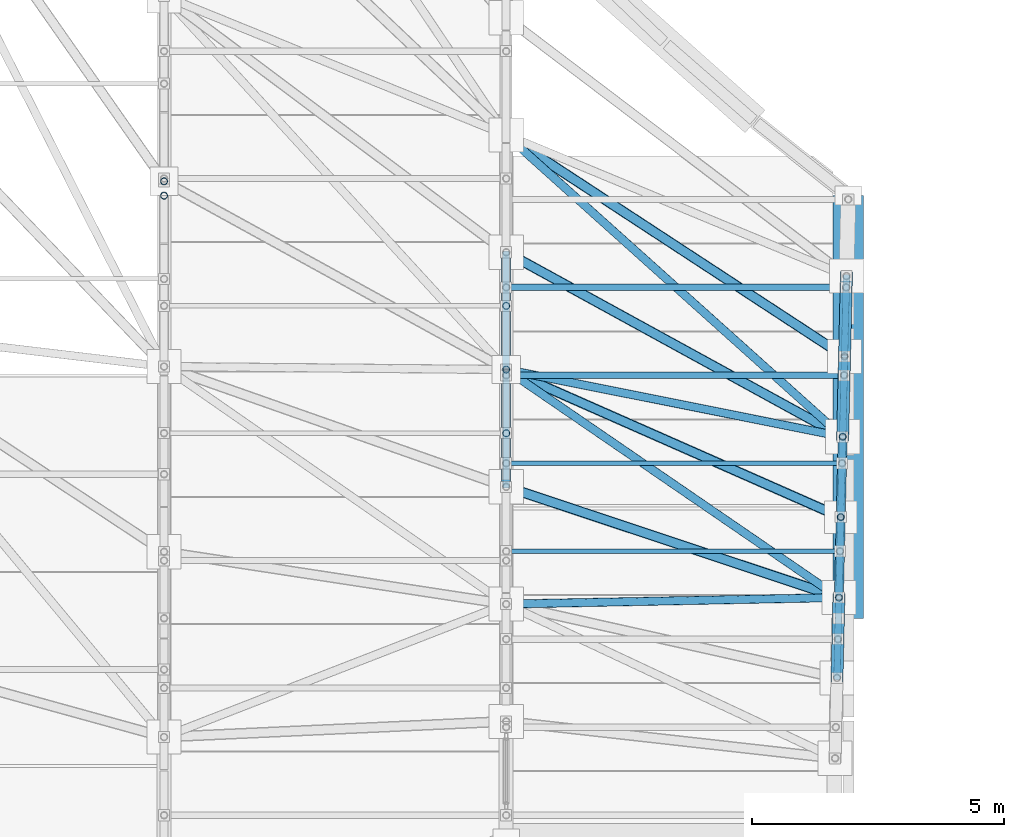
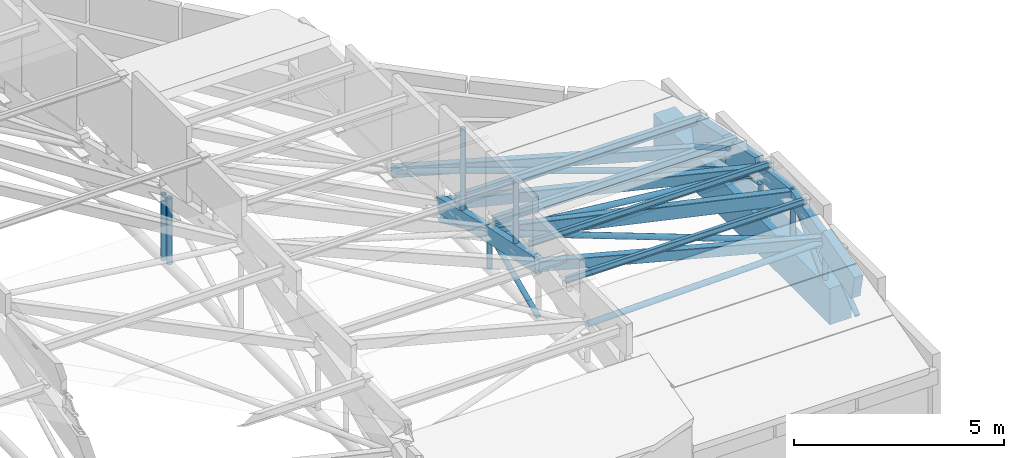
# One storey, part 33 of 188: 34 members, 1 beam.
"""IFC4 building model written with IfcOpenShell, lengths in metres."""

from ifc_helpers import new_model, si_unit, direction, frame, origin, origin_2d, place, context, subcontext, project, spatial, rectangle, hollow_rectangle, hollow_circle, i_section, extrude, material, material_profile, profile_set, type_object, element, save


model = new_model("IFC4")

# Units and contexts
model_context = context("Model", 3, precision=1e-05, world=origin(), true_north=direction((0.0, 1.0)))
body_context = subcontext(model_context, "Body", "Model", "MODEL_VIEW")
ifc_project = project(units=[si_unit("LENGTHUNIT", "METRE"), si_unit("AREAUNIT", "SQUARE_METRE"), si_unit("VOLUMEUNIT", "CUBIC_METRE"), si_unit("PLANEANGLEUNIT", "RADIAN"), si_unit("MASSUNIT", "GRAM", prefix="KILO")], contexts=[model_context])

# Site, building, storey
site_placement = place(None, origin())
site = spatial("IfcSite", under=ifc_project, at=site_placement, CompositionType="ELEMENT")
building_placement = place(site_placement, origin())
building = spatial("IfcBuilding", under=site, at=building_placement, Name="Kisaragi Civic Commons", CompositionType="ELEMENT")
storey_placement = place(building_placement, frame((0.0, 0.0, 9.60009765625)))
storey = spatial("IfcBuildingStorey", under=building, at=storey_placement, Name="L02", CompositionType="ELEMENT", Elevation=9.60009765625)

# Members
ifc_material_1 = material(Name="Steel SN400 (SN400B)", Category="steel")
ifc_material_profile_1 = material_profile(ifc_material_1, hollow_circle(Radius=0.08251953125, WallThickness=0.006103515625, at=origin_2d()), Name="CHS-165.2x6.0", Category="steel")
ifc_profile_set_1 = profile_set([ifc_material_profile_1], Name="Steel SN400 (SN400B)")
member_type_1 = type_object("IfcMemberType", Name="BR-02", PredefinedType="BRACE", material=ifc_profile_set_1)
member_1_placement = place(storey_placement, frame((40.800048828125, 8.681884765625, 0.761962890625), z_axis=(0.999795327891, 0.019748587795, 0.004392676538), x_axis=(-0.019748778328, 0.99980497386, 0.0)))
element("IfcMember", 1, at=member_1_placement, inside=storey, type_object=member_type_1, Name="V1 diagonal gridshell steel brace 38", PredefinedType="BRACE", context=body_context, shape_type="SweptSolid", body=[
    extrude(hollow_circle(Radius=0.08251953125, WallThickness=0.006103515625, at=origin_2d()), origin(), (0.0, 0.0, 1.0), 6.614013671875),
])
member_2_placement = place(storey_placement, frame((40.800048828125, 13.343994140625, 0.58203125), z_axis=(0.824613010091, -0.565096624711, 0.026061241892), x_axis=(0.565288626036, 0.824893186585, 0.0)))
element("IfcMember", 2, at=member_2_placement, inside=storey, type_object=member_type_1, Name="V1 diagonal gridshell steel brace 39", PredefinedType="BRACE", context=body_context, shape_type="SweptSolid", body=[
    extrude(hollow_circle(Radius=0.08251953125, WallThickness=0.006103515625, at=origin_2d()), origin(), (0.0, 0.0, 1.0), 8.01904296875),
])
member_3_placement = place(storey_placement, frame((40.800048828125, 13.343994140625, 0.58203125), z_axis=(0.979695287723, -0.195781688267, 0.04320501999), x_axis=(0.195964674758, 0.980610955602, 0.0)))
element("IfcMember", 3, at=member_3_placement, inside=storey, type_object=member_type_1, Name="V1 diagonal gridshell steel brace 40", PredefinedType="BRACE", context=body_context, shape_type="SweptSolid", body=[
    extrude(hollow_circle(Radius=0.08251953125, WallThickness=0.006103515625, at=origin_2d()), origin(), (0.0, 0.0, 1.0), 6.826171875),
])
member_4_placement = place(storey_placement, frame((40.800048828125, 18.006103515625, -0.440673828125), z_axis=(0.73653194388, -0.660652375188, 0.145117658481), x_axis=(0.667720594851, 0.744411987552, 0.0)))
element("IfcMember", 4, at=member_4_placement, inside=storey, type_object=member_type_1, Name="V1 diagonal gridshell steel brace 41", PredefinedType="BRACE", context=body_context, shape_type="SweptSolid", body=[
    extrude(hollow_circle(Radius=0.08251953125, WallThickness=0.006103515625, at=origin_2d()), origin(), (0.0, 0.0, 1.0), 9.079833984375),
])

# Beam
ifc_material_2 = material(Name="Concrete Fc36", Category="concrete")
ifc_material_profile_2 = material_profile(ifc_material_2, rectangle(XDim=0.60009765625, YDim=1.050048828125, at=origin_2d()), Name="RC-600x1050", Category="concrete")
ifc_profile_set_2 = profile_set([ifc_material_profile_2], Name="Concrete Fc36")
beam_type = type_object("IfcBeamType", Name="G-06", PredefinedType="BEAM", material=ifc_profile_set_2)
beam_placement = place(storey_placement, frame((47.60009765625, 8.39990234375, -0.84521484375), z_axis=(0.0, 1.0, 0.0), x_axis=(-1.0, 0.0, 0.0)))
element("IfcBeam", 5, at=beam_placement, inside=storey, type_object=beam_type, Name="L02 girder G-06 249", PredefinedType="BEAM", context=body_context, shape_type="SweptSolid", body=[
    extrude(rectangle(XDim=0.60009765625, YDim=1.050048828125, at=origin_2d()), origin(), (0.0, 0.0, 1.0), 8.400146484375),
])

# Members
ifc_material_3 = material(Name="Steel SN490 (SN490B)", Category="steel")
ifc_material_profile_3 = material_profile(ifc_material_3, hollow_rectangle(XDim=0.199951171875, YDim=0.39990234375, WallThickness=0.011962890625, InnerFilletRadius=0.011962890625, OuterFilletRadius=0.02392578125, at=origin_2d()), Name="STKR-400x200x12", Category="steel")
ifc_profile_set_3 = profile_set([ifc_material_profile_3], Name="Steel SN490 (SN490B)")
member_type_2 = type_object("IfcMemberType", Name="GC-01", PredefinedType="CHORD", material=ifc_profile_set_3)
member_5_placement = place(storey_placement, frame((40.800048828125, 13.343994140625, 0.58203125), z_axis=(0.912490679651, -0.402610800648, 0.072562405908), x_axis=(0.403674938631, 0.91490247782, 0.0)))
element("IfcMember", 6, at=member_5_placement, inside=storey, type_object=member_type_2, Name="V1 wave gridshell chord GC-01 46", PredefinedType="CHORD", context=body_context, shape_type="SweptSolid", body=[
    extrude(hollow_rectangle(XDim=0.199951171875, YDim=0.39990234375, WallThickness=0.011962890625, InnerFilletRadius=0.011962890625, OuterFilletRadius=0.02392578125, at=origin_2d()), origin(), (0.0, 0.0, 1.0), 7.28759765625),
])
ifc_material_profile_4 = material_profile(ifc_material_3, hollow_rectangle(XDim=0.199951171875, YDim=0.300048828125, WallThickness=0.009033203125, InnerFilletRadius=0.009033203125, OuterFilletRadius=0.01806640625, at=origin_2d()), Name="STKR-300x200x9", Category="steel")
ifc_profile_set_4 = profile_set([ifc_material_profile_4], Name="Steel SN490 (SN490B)")
member_type_3 = type_object("IfcMemberType", Name="GC-02", PredefinedType="CHORD", material=ifc_profile_set_4)
member_6_placement = place(storey_placement, frame((40.800048828125, 11.012939453125, 1.0703125), z_axis=(0.9480832492, -0.315491021785, -0.040044572165), x_axis=(0.315744282031, 0.948844322513, 0.0)))
element("IfcMember", 7, at=member_6_placement, inside=storey, type_object=member_type_3, Name="V1 wave gridshell chord GC-02 45", PredefinedType="CHORD", context=body_context, shape_type="SweptSolid", body=[
    extrude(hollow_rectangle(XDim=0.199951171875, YDim=0.300048828125, WallThickness=0.009033203125, InnerFilletRadius=0.009033203125, OuterFilletRadius=0.01806640625, at=origin_2d()), origin(), (0.0, 0.0, 1.0), 6.974609375),
])
member_7_placement = place(storey_placement, frame((40.800048828125, 15.675048828125, 0.010009765625), z_axis=(0.871194755372, -0.477770429877, 0.112938543236), x_axis=(0.480846900189, 0.876804572626, 0.0)))
element("IfcMember", 8, at=member_7_placement, inside=storey, type_object=member_type_3, Name="V1 wave gridshell chord GC-02 47", PredefinedType="CHORD", context=body_context, shape_type="SweptSolid", body=[
    extrude(hollow_rectangle(XDim=0.199951171875, YDim=0.300048828125, WallThickness=0.009033203125, InnerFilletRadius=0.009033203125, OuterFilletRadius=0.01806640625, at=origin_2d()), origin(), (0.0, 0.0, 1.0), 7.67626953125),
])
member_8_placement = place(storey_placement, frame((40.800048828125, 18.006103515625, -0.440673828125), z_axis=(0.830770555534, -0.543703060614, 0.119194236176), x_axis=(0.547606975167, 0.836735681532, 0.0)))
element("IfcMember", 9, at=member_8_placement, inside=storey, type_object=member_type_3, Name="V1 wave gridshell chord GC-02 48", PredefinedType="CHORD", context=body_context, shape_type="SweptSolid", body=[
    extrude(hollow_rectangle(XDim=0.199951171875, YDim=0.300048828125, WallThickness=0.009033203125, InnerFilletRadius=0.009033203125, OuterFilletRadius=0.01806640625, at=origin_2d()), origin(), (0.0, 0.0, 1.0), 8.0947265625),
])
ifc_material_4 = material(Name="Glulam E120-F330", Category="wood")
ifc_material_profile_5 = material_profile(ifc_material_4, rectangle(XDim=0.239990234375, YDim=0.719970703125, at=origin_2d()), Name="GL-240x720", Category="wood")
ifc_profile_set_5 = profile_set([ifc_material_profile_5], Name="Glulam E120-F330")
member_type_4 = type_object("IfcMemberType", Name="GR-02", PredefinedType="RAFTER", material=ifc_profile_set_5)
member_9_placement = place(storey_placement, frame((47.375, 7.215087890625, 0.431396484375), z_axis=(0.022955869345, 0.975326318993, 0.219571399645), x_axis=(-0.999723129165, 0.023530087405, 0.0)))
element("IfcMember", 10, at=member_9_placement, inside=storey, type_object=member_type_4, Name="V1 glulam arch rib GR-02 59", PredefinedType="RAFTER", context=body_context, shape_type="SweptSolid", body=[
    extrude(rectangle(XDim=0.239990234375, YDim=0.719970703125, at=origin_2d()), origin(), (0.0, 0.0, 1.0), 1.637939453125),
])
member_10_placement = place(storey_placement, frame((47.487548828125, 12.007568359375, 0.876953125), z_axis=(0.022827614041, 0.976216200451, -0.215594132608), x_axis=(-0.999726711746, 0.023377378404, 0.0)))
element("IfcMember", 11, at=member_10_placement, inside=storey, type_object=member_type_4, Name="V1 glulam arch rib GR-02 62", PredefinedType="RAFTER", context=body_context, shape_type="SweptSolid", body=[
    extrude(rectangle(XDim=0.239990234375, YDim=0.719970703125, at=origin_2d()), origin(), (0.0, 0.0, 1.0), 1.63623046875),
])
member_11_placement = place(storey_placement, frame((47.52490234375, 13.60498046875, 0.524169921875), z_axis=(0.022849709426, 0.970815901142, -0.238734951083), x_axis=(-0.999723129165, 0.023530087405, 0.0)))
element("IfcMember", 12, at=member_11_placement, inside=storey, type_object=member_type_4, Name="V1 glulam arch rib GR-02 63", PredefinedType="RAFTER", context=body_context, shape_type="SweptSolid", body=[
    extrude(rectangle(XDim=0.239990234375, YDim=0.719970703125, at=origin_2d()), origin(), (0.0, 0.0, 1.0), 1.6455078125),
])
ifc_material_profile_6 = material_profile(ifc_material_4, rectangle(XDim=0.179931640625, YDim=0.449951171875, at=origin_2d()), Name="GL-180x450", Category="wood")
ifc_profile_set_6 = profile_set([ifc_material_profile_6], Name="Glulam E120-F330")
member_type_5 = type_object("IfcMemberType", Name="GR-05", PredefinedType="RAFTER", material=ifc_profile_set_6)
member_12_placement = place(storey_placement, frame((40.800048828125, 11.012939453125, 1.0703125), z_axis=(0.0, 0.978758107415, -0.20501845568), x_axis=(-1.0, 0.0, 0.0)))
element("IfcMember", 13, at=member_12_placement, inside=storey, type_object=member_type_5, Name="V1 glulam arch rib GR-05 52", PredefinedType="RAFTER", context=body_context, shape_type="SweptSolid", body=[
    extrude(rectangle(XDim=0.179931640625, YDim=0.449951171875, at=origin_2d()), origin(), (0.0, 0.0, 1.0), 2.381591796875),
])
member_13_placement = place(storey_placement, frame((40.800048828125, 13.343994140625, 0.58203125), z_axis=(0.0, 0.971186417539, -0.23832109094), x_axis=(-1.0, 0.0, 0.0)))
element("IfcMember", 14, at=member_13_placement, inside=storey, type_object=member_type_5, Name="V1 glulam arch rib GR-05 53", PredefinedType="RAFTER", context=body_context, shape_type="SweptSolid", body=[
    extrude(rectangle(XDim=0.179931640625, YDim=0.449951171875, at=origin_2d()), origin(), (0.0, 0.0, 1.0), 2.400146484375),
])
member_14_placement = place(storey_placement, frame((47.41259765625, 8.8125, 0.791015625), z_axis=(0.022922703221, 0.980282661296, 0.196266282485), x_axis=(-0.999726711746, 0.023377378404, 0.0)))
element("IfcMember", 15, at=member_14_placement, inside=storey, type_object=member_type_5, Name="V1 glulam arch rib GR-05 60", PredefinedType="RAFTER", context=body_context, shape_type="SweptSolid", body=[
    extrude(rectangle(XDim=0.179931640625, YDim=0.449951171875, at=origin_2d()), origin(), (0.0, 0.0, 1.0), 1.629638671875),
])
member_15_placement = place(storey_placement, frame((47.449951171875, 10.409912109375, 1.11083984375), z_axis=(0.023278510624, 0.989185542364, -0.144810475181), x_axis=(-0.999723213741, 0.023526493722, 0.0)))
element("IfcMember", 16, at=member_15_placement, inside=storey, type_object=member_type_5, Name="V1 glulam arch rib GR-05 61", PredefinedType="RAFTER", context=body_context, shape_type="SweptSolid", body=[
    extrude(rectangle(XDim=0.179931640625, YDim=0.449951171875, at=origin_2d()), origin(), (0.0, 0.0, 1.0), 1.615234375),
])
ifc_material_profile_7 = material_profile(ifc_material_1, i_section(OverallWidth=0.125, OverallDepth=0.25, WebThickness=0.006103515625, FlangeThickness=0.009033203125, FilletRadius=0.008056640625, at=origin_2d()), Name="H-250x125x6x9", Category="steel")
ifc_profile_set_7 = profile_set([ifc_material_profile_7], Name="Steel SN400 (SN400B)")
member_type_6 = type_object("IfcMemberType", Name="PR-01", PredefinedType="PURLIN", material=ifc_profile_set_7)
member_16_placement = place(storey_placement, frame((40.800048828125, 13.2294921875, 0.993408203125), z_axis=(1.0, 0.0, 0.0), x_axis=(0.0, 1.0, 0.0)))
element("IfcMember", 17, at=member_16_placement, inside=storey, type_object=member_type_6, Name="V1 wave vault steel purlin 53", PredefinedType="PURLIN", context=body_context, shape_type="SweptSolid", body=[
    extrude(i_section(OverallWidth=0.125, OverallDepth=0.25, WebThickness=0.006103515625, FlangeThickness=0.009033203125, FilletRadius=0.008056640625, at=origin_2d()), origin(), (0.0, 0.0, 1.0), 6.716064453125),
])
member_17_placement = place(storey_placement, frame((40.800048828125, 14.9775390625, 0.578369140625), z_axis=(1.0, 0.0, 0.0), x_axis=(0.0, 1.0, 0.0)))
element("IfcMember", 18, at=member_17_placement, inside=storey, type_object=member_type_6, Name="V1 wave vault steel purlin 54", PredefinedType="PURLIN", context=body_context, shape_type="SweptSolid", body=[
    extrude(i_section(OverallWidth=0.125, OverallDepth=0.25, WebThickness=0.006103515625, FlangeThickness=0.009033203125, FilletRadius=0.008056640625, at=origin_2d()), origin(), (0.0, 0.0, 1.0), 6.757080078125),
])
ifc_material_profile_8 = material_profile(ifc_material_1, i_section(OverallWidth=0.090087890625, OverallDepth=0.175048828125, WebThickness=0.0048828125, FlangeThickness=0.008056640625, FilletRadius=0.008056640625, at=origin_2d()), Name="H-175x90x5x8", Category="steel")
ifc_profile_set_8 = profile_set([ifc_material_profile_8], Name="Steel SN400 (SN400B)")
member_type_7 = type_object("IfcMemberType", Name="PR-03", PredefinedType="PURLIN", material=ifc_profile_set_8)
member_18_placement = place(storey_placement, frame((40.800048828125, 9.73291015625, 1.401123046875), z_axis=(1.0, 0.0, 0.0), x_axis=(0.0, 1.0, 0.0)))
element("IfcMember", 19, at=member_18_placement, inside=storey, type_object=member_type_7, Name="V1 wave vault steel purlin 51", PredefinedType="PURLIN", context=body_context, shape_type="SweptSolid", body=[
    extrude(i_section(OverallWidth=0.090087890625, OverallDepth=0.175048828125, WebThickness=0.0048828125, FlangeThickness=0.008056640625, FilletRadius=0.008056640625, at=origin_2d()), origin(), (0.0, 0.0, 1.0), 6.634033203125),
])
member_19_placement = place(storey_placement, frame((40.800048828125, 11.481201171875, 1.401123046875), z_axis=(1.0, 0.0, 0.0), x_axis=(0.0, 1.0, 0.0)))
element("IfcMember", 20, at=member_19_placement, inside=storey, type_object=member_type_7, Name="V1 wave vault steel purlin 52", PredefinedType="PURLIN", context=body_context, shape_type="SweptSolid", body=[
    extrude(i_section(OverallWidth=0.090087890625, OverallDepth=0.175048828125, WebThickness=0.0048828125, FlangeThickness=0.008056640625, FilletRadius=0.008056640625, at=origin_2d()), origin(), (0.0, 0.0, 1.0), 6.675048828125),
])
ifc_material_profile_9 = material_profile(ifc_material_3, hollow_circle(Radius=0.06982421875, WallThickness=0.006103515625, at=origin_2d()), Name="CHS-139.8x6.0", Category="steel")
ifc_profile_set_9 = profile_set([ifc_material_profile_9], Name="Steel SN490 (SN490B)")
member_type_8 = type_object("IfcMemberType", Name="ST-H1", PredefinedType="STRUT", material=ifc_profile_set_9)
member_20_placement = place(storey_placement, frame((34.0, 17.0849609375, -0.080078125), z_axis=(0.0, 0.0, 1.0), x_axis=(1.0, 0.0, 0.0)))
element("IfcMember", 21, at=member_20_placement, inside=storey, type_object=member_type_8, Name="V1 arch tie hanger strut 74", PredefinedType="STRUT", context=body_context, shape_type="SweptSolid", body=[
    extrude(hollow_circle(Radius=0.06982421875, WallThickness=0.006103515625, at=origin_2d()), origin(), (0.0, 0.0, 1.0), 1.926025390625),
])
member_21_placement = place(storey_placement, frame((40.800048828125, 13.343994140625, -0.440673828125), z_axis=(0.0, 0.0, 1.0), x_axis=(1.0, 0.0, 0.0)))
element("IfcMember", 22, at=member_21_placement, inside=storey, type_object=member_type_8, Name="V1 arch tie hanger strut 86", PredefinedType="STRUT", context=body_context, shape_type="SweptSolid", body=[
    extrude(hollow_circle(Radius=0.06982421875, WallThickness=0.006103515625, at=origin_2d()), origin(), (0.0, 0.0, 1.0), 1.022705078125),
])
for number, where, z_axis, x_axis, name in (
    (23, (40.800048828125, 11.012939453125, -0.440673828125), (0.0, 0.915743021103, 0.401764507269), (-1.0, 0.0, 0.0), "V1 tied arch truss diagonal web strut 90"),
    (24, (40.800048828125, 15.675048828125, -0.440673828125), (0.0, -0.915743021103, 0.401764507269), (1.0, 0.0, 0.0), "V1 tied arch truss diagonal web strut 91"),
):
    element("IfcMember", number, at=place(storey_placement, frame(where, z_axis=z_axis, x_axis=x_axis)), inside=storey, type_object=member_type_8, Name=name, PredefinedType="STRUT", context=body_context, shape_type="SweptSolid", body=[
        extrude(hollow_circle(Radius=0.06982421875, WallThickness=0.006103515625, at=origin_2d()), origin(), (0.0, 0.0, 1.0), 2.545654296875),
    ])
member_22_placement = place(storey_placement, frame((47.41259765625, 8.8125, -0.4111328125), z_axis=(0.0, 0.0, 1.0), x_axis=(1.0, 0.0, 0.0)))
element("IfcMember", 25, at=member_22_placement, inside=storey, type_object=member_type_8, Name="V1 arch tie hanger strut 95", PredefinedType="STRUT", context=body_context, shape_type="SweptSolid", body=[
    extrude(hollow_circle(Radius=0.06982421875, WallThickness=0.006103515625, at=origin_2d()), origin(), (0.0, 0.0, 1.0), 1.2021484375),
])
member_23_placement = place(storey_placement, frame((47.449951171875, 10.409912109375, -0.4111328125), z_axis=(0.0, 0.0, 1.0), x_axis=(1.0, 0.0, 0.0)))
element("IfcMember", 26, at=member_23_placement, inside=storey, type_object=member_type_8, Name="V1 arch tie hanger strut 96", PredefinedType="STRUT", context=body_context, shape_type="SweptSolid", body=[
    extrude(hollow_circle(Radius=0.06982421875, WallThickness=0.006103515625, at=origin_2d()), origin(), (0.0, 0.0, 1.0), 1.52197265625),
])
member_24_placement = place(storey_placement, frame((47.487548828125, 12.007568359375, -0.4111328125), z_axis=(0.0, 0.0, 1.0), x_axis=(1.0, 0.0, 0.0)))
element("IfcMember", 27, at=member_24_placement, inside=storey, type_object=member_type_8, Name="V1 arch tie hanger strut 97", PredefinedType="STRUT", context=body_context, shape_type="SweptSolid", body=[
    extrude(hollow_circle(Radius=0.06982421875, WallThickness=0.006103515625, at=origin_2d()), origin(), (0.0, 0.0, 1.0), 1.2880859375),
])
member_25_placement = place(storey_placement, frame((47.375, 7.215087890625, -0.4111328125), z_axis=(0.018802824393, 0.798875844161, 0.601201995514), x_axis=(-0.999723129165, 0.023530087405, 0.0)))
element("IfcMember", 28, at=member_25_placement, inside=storey, type_object=member_type_8, Name="V1 tied arch truss diagonal web strut 100", PredefinedType="STRUT", context=body_context, shape_type="SweptSolid", body=[
    extrude(hollow_circle(Radius=0.06982421875, WallThickness=0.006103515625, at=origin_2d()), origin(), (0.0, 0.0, 1.0), 1.99951171875),
])
for number, where, z_axis, x_axis, name in (
    (29, (47.41259765625, 8.8125, -0.4111328125), (0.016927325251, 0.72389208575, 0.689705526909), (-0.999726711746, 0.023377378404, 0.0), "V1 tied arch truss diagonal web strut 101"),
    (30, (47.487548828125, 12.007568359375, -0.4111328125), (-0.017036564872, -0.723943380035, 0.689648996201), (0.999723213741, -0.023526493722, 0.0), "V1 tied arch truss diagonal web strut 102"),
):
    element("IfcMember", number, at=place(storey_placement, frame(where, z_axis=z_axis, x_axis=x_axis)), inside=storey, type_object=member_type_8, Name=name, PredefinedType="STRUT", context=body_context, shape_type="SweptSolid", body=[
        extrude(hollow_circle(Radius=0.06982421875, WallThickness=0.006103515625, at=origin_2d()), origin(), (0.0, 0.0, 1.0), 2.206787109375),
    ])
member_26_placement = place(storey_placement, frame((47.52490234375, 13.60498046875, -0.4111328125), z_axis=(-0.018200048764, -0.778319732453, 0.627604295953), x_axis=(0.999726711746, -0.023377378404, 0.0)))
element("IfcMember", 31, at=member_26_placement, inside=storey, type_object=member_type_8, Name="V1 tied arch truss diagonal web strut 103", PredefinedType="STRUT", context=body_context, shape_type="SweptSolid", body=[
    extrude(hollow_circle(Radius=0.06982421875, WallThickness=0.006103515625, at=origin_2d()), origin(), (0.0, 0.0, 1.0), 2.052490234375),
])
member_27_placement = place(storey_placement, frame((47.5625, 15.202392578125, -0.4111328125), z_axis=(-0.020306954022, -0.862781819258, 0.505168447131), x_axis=(0.999723129165, -0.023530087405, 0.0)))
element("IfcMember", 32, at=member_27_placement, inside=storey, type_object=member_type_8, Name="V1 tied arch truss diagonal web strut 104", PredefinedType="STRUT", context=body_context, shape_type="SweptSolid", body=[
    extrude(hollow_circle(Radius=0.06982421875, WallThickness=0.006103515625, at=origin_2d()), origin(), (0.0, 0.0, 1.0), 1.8515625),
])
member_28_placement = place(storey_placement, frame((34.0, 16.800048828125, -0.02001953125), z_axis=(0.0, 0.0, 1.0), x_axis=(1.0, 0.0, 0.0)))
element("IfcMember", 33, at=member_28_placement, inside=storey, type_object=member_type_8, Name="V1 interior column arch support post (34.0,16.8)", PredefinedType="STRUT", context=body_context, shape_type="SweptSolid", body=[
    extrude(hollow_circle(Radius=0.06982421875, WallThickness=0.006103515625, at=origin_2d()), origin(), (0.0, 0.0, 1.0), 1.924560546875),
])
member_29_placement = place(storey_placement, frame((40.800048828125, 12.07861328125, 0.84716796875), z_axis=(0.0, 0.0, 1.0), x_axis=(1.0, 0.0, 0.0)))
element("IfcMember", 34, at=member_29_placement, inside=storey, type_object=member_type_8, Name="V1 clerestory monitor horizontal tie strut 6.6.4", PredefinedType="STRUT", context=body_context, shape_type="SweptSolid", body=[
    extrude(hollow_circle(Radius=0.06982421875, WallThickness=0.006103515625, at=origin_2d()), origin(), (0.0, 0.0, 1.0), 2.030517578125),
])
member_30_placement = place(storey_placement, frame((40.800048828125, 14.609619140625, 0.271484375), z_axis=(0.0, 0.0, 1.0), x_axis=(1.0, 0.0, 0.0)))
element("IfcMember", 35, at=member_30_placement, inside=storey, type_object=member_type_8, Name="V1 clerestory monitor horizontal tie strut 6.6.5", PredefinedType="STRUT", context=body_context, shape_type="SweptSolid", body=[
    extrude(hollow_circle(Radius=0.06982421875, WallThickness=0.006103515625, at=origin_2d()), origin(), (0.0, 0.0, 1.0), 2.606201171875),
])

save(model, "model.ifc")
